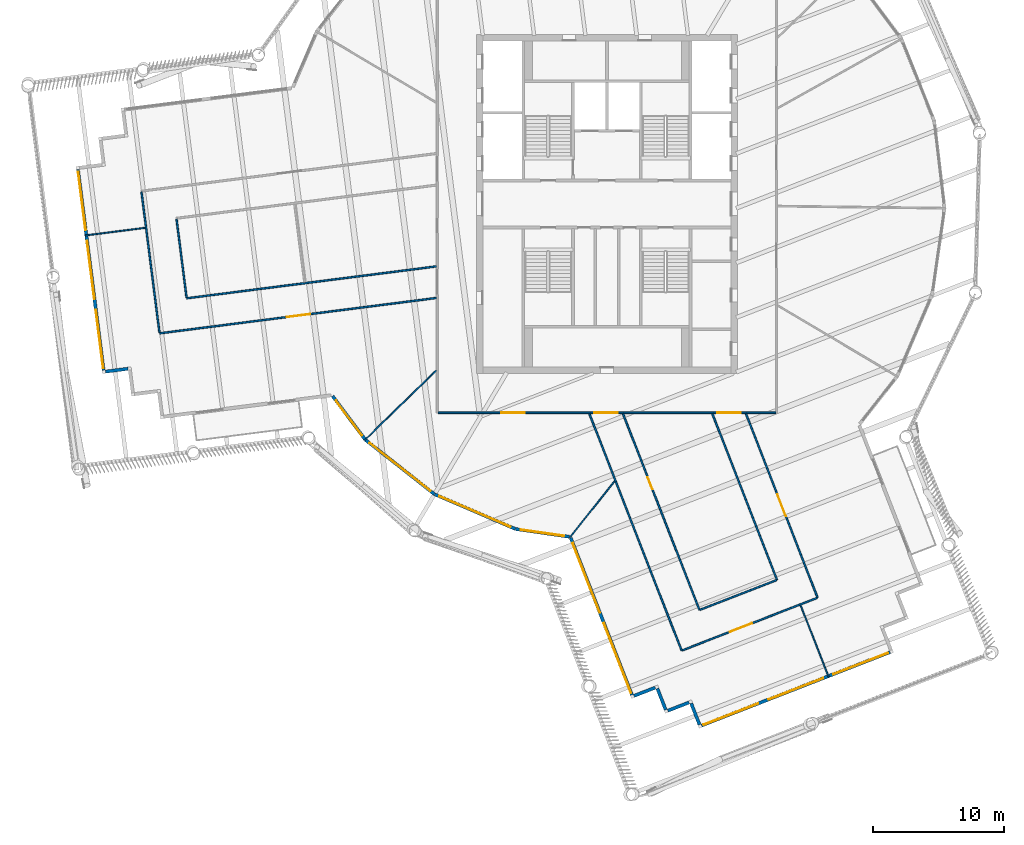
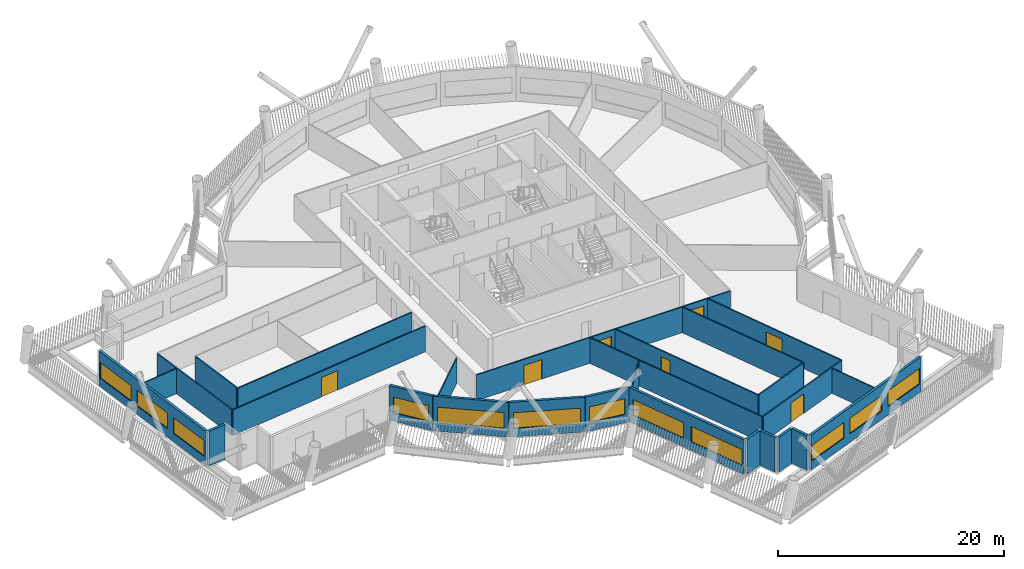
# One storey, part 3 of 20: 27 walls, 12 windows, 7 doors, 19 openings.
"""IFC4 building model written with IfcOpenShell, lengths in metres."""

from ifc_helpers import new_model, si_unit, direction, frame, frame_2d, origin, place, context, subcontext, project, spatial, rectangle, extrude, material, layer, layer_set, type_object, element, fill, save


model = new_model("IFC4")

# Units and contexts
model_context = context("Model", 3, precision=1e-05, world=origin(), true_north=direction((0.0, 1.0)))
body_context = subcontext(model_context, "Body", "Model", "MODEL_VIEW")
ifc_project = project(units=[si_unit("LENGTHUNIT", "METRE"), si_unit("AREAUNIT", "SQUARE_METRE"), si_unit("VOLUMEUNIT", "CUBIC_METRE"), si_unit("PLANEANGLEUNIT", "RADIAN"), si_unit("MASSUNIT", "GRAM", prefix="KILO")], contexts=[model_context])

# Site, building, storey
site_placement = place(None, origin())
site = spatial("IfcSite", under=ifc_project, at=site_placement, CompositionType="ELEMENT")
building_placement = place(site_placement, origin())
building = spatial("IfcBuilding", under=site, at=building_placement, Name="Tarsis Ring Headquarters", CompositionType="ELEMENT")
storey_placement = place(building_placement, frame((0.0, 0.0, 315.800048828125)))
storey = spatial("IfcBuildingStorey", under=building, at=storey_placement, Name="L74", CompositionType="ELEMENT", Elevation=315.800048828125)

# Walls
ifc_material_1 = material(Name="Gypsum board on steel studs", Category="steel")
ifc_layer_1 = layer(ifc_material_1, 0.10009765625)
ifc_layer_set_1 = layer_set([ifc_layer_1], Name="FL partition 100 unrated")
wall_type_1 = type_object("IfcWallType", Name="FL partition 100 unrated", PredefinedType="PARTITIONING", material=ifc_layer_set_1)
wall_1_placement = place(storey_placement, frame((-18.576904296875, -18.115966796875, 0.0), z_axis=(0.0, 0.0, 1.0), x_axis=(0.715916206475, 0.698186211054, 0.0)))
element("IfcWall", 1, at=wall_1_placement, inside=storey, type_object=wall_type_1, Name="Partition PW3", PredefinedType="PARTITIONING", context=body_context, shape_type="SweptSolid", body=[
    extrude(rectangle(XDim=7.669921875, YDim=0.10009765625, at=frame_2d((3.8349609375, 0.0))), origin(), (0.0, 0.0, 1.0), 2.699951171875),
])
wall_2_placement = place(storey_placement, frame((14.842041015625, -30.75, 0.0), z_axis=(0.0, 0.0, 1.0), x_axis=(0.362906716127, -0.931825474749, 0.0)))
element("IfcWall", 2, at=wall_2_placement, inside=storey, type_object=wall_type_1, Name="Partition PW3", PredefinedType="PARTITIONING", context=body_context, shape_type="SweptSolid", body=[
    extrude(rectangle(XDim=5.909912109375, YDim=0.10009765625, at=frame_2d((2.955078125, 0.0))), origin(), (0.0, 0.0, 1.0), 2.699951171875),
])
wall_3_placement = place(storey_placement, frame((-2.8447265625, -25.553955078125, 0.0), z_axis=(0.0, 0.0, 1.0), x_axis=(0.622106122398, 0.782932929742, 0.0)))
element("IfcWall", 3, at=wall_3_placement, inside=storey, type_object=wall_type_1, Name="Partition PW3", PredefinedType="PARTITIONING", context=body_context, shape_type="SweptSolid", body=[
    extrude(rectangle(XDim=5.50439453125, YDim=0.10009765625, at=frame_2d((2.752197265625, 0.0))), origin(), (0.0, 0.0, 1.0), 2.699951171875),
])
wall_4_placement = place(storey_placement, frame((-39.96630859375, -2.413818359375, 0.0), z_axis=(0.0, 0.0, 1.0), x_axis=(0.991945118254, 0.126668395315, 0.0)))
element("IfcWall", 4, at=wall_4_placement, inside=storey, type_object=wall_type_1, Name="Partition PW3", PredefinedType="PARTITIONING", context=body_context, shape_type="SweptSolid", body=[
    extrude(rectangle(XDim=4.619873046875, YDim=0.10009765625, at=frame_2d((2.31005859375, 0.0))), origin(), (0.0, 0.0, 1.0), 2.699951171875),
])

# Wall, openings, doors
ifc_layer_2 = layer(ifc_material_1, 0.125)
ifc_layer_set_2 = layer_set([ifc_layer_2], Name="FL partition 125 EI 60 H2770")
wall_type_2 = type_object("IfcWallType", Name="FL partition 125 EI 60 H2770", PredefinedType="PARTITIONING", material=ifc_layer_set_2)
wall_5_placement = place(storey_placement, frame((-12.93994140625, -16.0, 0.0), z_axis=(0.0, 0.0, 1.0), x_axis=(1.0, 0.0, 0.0)))
wall_5 = element("IfcWall", 5, at=wall_5_placement, inside=storey, type_object=wall_type_2, Name="Partition PW1", PredefinedType="PARTITIONING", context=body_context, shape_type="SweptSolid", body=[
    extrude(rectangle(XDim=25.8798828125, YDim=0.125, at=frame_2d((12.93994140625, 0.0))), origin(), (0.0, 0.0, 1.0), 2.77001953125),
])
opening_1_placement = place(wall_5_placement, frame((4.8515625, 0.0, 0.0)))
opening_1 = element("IfcOpeningElement", 6, at=opening_1_placement, cuts=wall_5, Name="Opening D74.11", PredefinedType="OPENING", context=body_context, shape_type="SweptSolid", body=[
    extrude(rectangle(XDim=1.800048828125, YDim=2.10009765625, at=frame_2d((0.89990234375, 1.050048828125))), frame((0.0, 0.072509765625, 0.0), z_axis=(0.0, -1.0, 0.0), x_axis=(1.0, 0.0, 0.0)), (0.0, 0.0, 1.0), 0.14501953125),
])
opening_2_placement = place(wall_5_placement, frame((11.95068359375, 0.0, 0.0)))
opening_2 = element("IfcOpeningElement", 7, at=opening_2_placement, cuts=wall_5, Name="Opening D74.14", PredefinedType="OPENING", context=body_context, shape_type="SweptSolid", body=[
    extrude(rectangle(XDim=1.800048828125, YDim=2.10009765625, at=frame_2d((0.89990234375, 1.050048828125))), frame((0.0, 0.072509765625, 0.0), z_axis=(0.0, -1.0, 0.0), x_axis=(1.0, 0.0, 0.0)), (0.0, 0.0, 1.0), 0.14501953125),
])
opening_3_placement = place(wall_5_placement, frame((21.373291015625, 0.0, 0.0)))
opening_3 = element("IfcOpeningElement", 8, at=opening_3_placement, cuts=wall_5, Name="Opening D74.15", PredefinedType="OPENING", context=body_context, shape_type="SweptSolid", body=[
    extrude(rectangle(XDim=1.800048828125, YDim=2.10009765625, at=frame_2d((0.89990234375, 1.050048828125))), frame((0.0, 0.072509765625, 0.0), z_axis=(0.0, -1.0, 0.0), x_axis=(1.0, 0.0, 0.0)), (0.0, 0.0, 1.0), 0.14501953125),
])
ifc_material_2 = material(Name="Fire-rated timber door leaf in steel frame", Category="steel")
door_type_1 = type_object("IfcDoorType", Name="FL door FD60-1800", OperationType="DOUBLE_DOOR_SINGLE_SWING", PredefinedType="DOOR", material=ifc_material_2)
door_1_placement = place(opening_1_placement, origin())
door_1 = element("IfcDoor", 9, at=door_1_placement, inside=storey, type_object=door_type_1, Name="Door D74.11", OperationType="DOUBLE_DOOR_SINGLE_SWING", OverallHeight=2.10009765625, OverallWidth=1.800048828125, PredefinedType="DOOR", context=body_context, shape_type="SweptSolid", body=[
    extrude(rectangle(XDim=1.800048828125, YDim=2.10009765625, at=frame_2d((0.89990234375, 1.050048828125))), frame((0.0, 0.02490234375, 0.0), z_axis=(0.0, -1.0, 0.0), x_axis=(1.0, 0.0, 0.0)), (0.0, 0.0, 1.0), 0.050048828125),
])
fill(opening_1, door_1)
door_2_placement = place(opening_2_placement, origin())
door_2 = element("IfcDoor", 10, at=door_2_placement, inside=storey, type_object=door_type_1, Name="Door D74.14", OperationType="DOUBLE_DOOR_SINGLE_SWING", OverallHeight=2.10009765625, OverallWidth=1.800048828125, PredefinedType="DOOR", context=body_context, shape_type="SweptSolid", body=[
    extrude(rectangle(XDim=1.800048828125, YDim=2.10009765625, at=frame_2d((0.89990234375, 1.050048828125))), frame((0.0, 0.02490234375, 0.0), z_axis=(0.0, -1.0, 0.0), x_axis=(1.0, 0.0, 0.0)), (0.0, 0.0, 1.0), 0.050048828125),
])
fill(opening_2, door_2)
door_3_placement = place(opening_3_placement, origin())
door_3 = element("IfcDoor", 11, at=door_3_placement, inside=storey, type_object=door_type_1, Name="Door D74.15", OperationType="DOUBLE_DOOR_SINGLE_SWING", OverallHeight=2.10009765625, OverallWidth=1.800048828125, PredefinedType="DOOR", context=body_context, shape_type="SweptSolid", body=[
    extrude(rectangle(XDim=1.800048828125, YDim=2.10009765625, at=frame_2d((0.89990234375, 1.050048828125))), frame((0.0, 0.02490234375, 0.0), z_axis=(0.0, -1.0, 0.0), x_axis=(1.0, 0.0, 0.0)), (0.0, 0.0, 1.0), 0.050048828125),
])
fill(opening_3, door_3)

# Wall, opening, door
wall_6_placement = place(storey_placement, frame((-34.280029296875, -9.913818359375, 0.0), z_axis=(0.0, 0.0, 1.0), x_axis=(0.991938210513, 0.126722478372, 0.0)))
wall_6 = element("IfcWall", 12, at=wall_6_placement, inside=storey, type_object=wall_type_2, Name="Partition PW1", PredefinedType="PARTITIONING", context=body_context, shape_type="SweptSolid", body=[
    extrude(rectangle(XDim=21.383056640625, YDim=0.125, at=frame_2d((10.69140625, 0.0))), origin(), (0.0, 0.0, 1.0), 2.77001953125),
])
opening_4_placement = place(wall_6_placement, frame((9.826416015625, 0.0, 0.0)))
opening_4 = element("IfcOpeningElement", 13, at=opening_4_placement, cuts=wall_6, Name="Opening D74.01", PredefinedType="OPENING", context=body_context, shape_type="SweptSolid", body=[
    extrude(rectangle(XDim=1.800048828125, YDim=2.10009765625, at=frame_2d((0.89990234375, 1.050048828125))), frame((0.0, 0.072509765625, 0.0), z_axis=(0.0, -1.0, 0.0), x_axis=(1.0, 0.0, 0.0)), (0.0, 0.0, 1.0), 0.14501953125),
])
door_4_placement = place(opening_4_placement, origin())
door_4 = element("IfcDoor", 14, at=door_4_placement, inside=storey, type_object=door_type_1, Name="Door D74.01", OperationType="DOUBLE_DOOR_SINGLE_SWING", OverallHeight=2.10009765625, OverallWidth=1.800048828125, PredefinedType="DOOR", context=body_context, shape_type="SweptSolid", body=[
    extrude(rectangle(XDim=1.800048828125, YDim=2.10009765625, at=frame_2d((0.89990234375, 1.050048828125))), frame((0.0, 0.02490234375, 0.0), z_axis=(0.0, -1.0, 0.0), x_axis=(1.0, 0.0, 0.0)), (0.0, 0.0, 1.0), 0.050048828125),
])
fill(opening_4, door_4)

# Walls
wall_7_placement = place(storey_placement, frame((-1.347900390625, -16.074462890625, 0.0), z_axis=(0.0, 0.0, 1.0), x_axis=(0.362913711646, -0.931822750259, 0.0)))
element("IfcWall", 15, at=wall_7_placement, inside=storey, type_object=wall_type_2, Name="Partition PW1", PredefinedType="PARTITIONING", context=body_context, shape_type="SweptSolid", body=[
    extrude(rectangle(XDim=19.480712890625, YDim=0.125, at=frame_2d((9.740234375, 0.0))), origin(), (0.0, 0.0, 1.0), 2.77001953125),
])
wall_8_placement = place(storey_placement, frame((-32.20361328125, -7.22900390625, 0.0), z_axis=(0.0, 0.0, 1.0), x_axis=(0.99193895173, 0.126716676254, 0.0)))
element("IfcWall", 16, at=wall_8_placement, inside=storey, type_object=wall_type_2, Name="Partition PW1", PredefinedType="PARTITIONING", context=body_context, shape_type="SweptSolid", body=[
    extrude(rectangle(XDim=19.289794921875, YDim=0.125, at=frame_2d((9.64501953125, 0.0))), origin(), (0.0, 0.0, 1.0), 2.77001953125),
])

# Wall, opening, door
wall_9_placement = place(storey_placement, frame((1.2275390625, -16.074462890625, 0.0), z_axis=(0.0, 0.0, 1.0), x_axis=(0.36292853656, -0.931816976316, 0.0)))
wall_9 = element("IfcWall", 17, at=wall_9_placement, inside=storey, type_object=wall_type_2, Name="Partition PW1", PredefinedType="PARTITIONING", context=body_context, shape_type="SweptSolid", body=[
    extrude(rectangle(XDim=16.14599609375, YDim=0.125, at=frame_2d((8.072998046875, 0.0))), origin(), (0.0, 0.0, 1.0), 2.77001953125),
])
opening_5_placement = place(wall_9_placement, frame((5.213134765625, 0.0, 0.0)))
opening_5 = element("IfcOpeningElement", 18, at=opening_5_placement, cuts=wall_9, Name="Opening D74.13", PredefinedType="OPENING", context=body_context, shape_type="SweptSolid", body=[
    extrude(rectangle(XDim=1.0, YDim=2.10009765625, at=frame_2d((0.5, 1.050048828125))), frame((0.0, 0.072509765625, 0.0), z_axis=(0.0, -1.0, 0.0), x_axis=(1.0, 0.0, 0.0)), (0.0, 0.0, 1.0), 0.14501953125),
])
door_type_2 = type_object("IfcDoorType", Name="FL door FD60-1000", OperationType="NOTDEFINED", PredefinedType="DOOR", material=ifc_material_2)
door_5_placement = place(opening_5_placement, origin())
door_5 = element("IfcDoor", 19, at=door_5_placement, inside=storey, type_object=door_type_2, Name="Door D74.13", OperationType="SINGLE_SWING_LEFT", OverallHeight=2.10009765625, OverallWidth=1.0, PredefinedType="DOOR", context=body_context, shape_type="SweptSolid", body=[
    extrude(rectangle(XDim=1.0, YDim=2.10009765625, at=frame_2d((0.5, 1.050048828125))), frame((0.0, 0.02490234375, 0.0), z_axis=(0.0, -1.0, 0.0), x_axis=(1.0, 0.0, 0.0)), (0.0, 0.0, 1.0), 0.050048828125),
])
fill(opening_5, door_5)

wall_10_placement = place(storey_placement, frame((10.64990234375, -16.074462890625, 0.0), z_axis=(0.0, 0.0, 1.0), x_axis=(0.362926781858, -0.931817659744, 0.0)))
wall_10 = element("IfcWall", 20, at=wall_10_placement, inside=storey, type_object=wall_type_2, Name="Partition PW1", PredefinedType="PARTITIONING", context=body_context, shape_type="SweptSolid", body=[
    extrude(rectangle(XDim=15.126220703125, YDim=0.125, at=frame_2d((7.56298828125, 0.0))), origin(), (0.0, 0.0, 1.0), 2.77001953125),
])
opening_6_placement = place(wall_10_placement, frame((6.623046875, 0.0, 0.0)))
opening_6 = element("IfcOpeningElement", 21, at=opening_6_placement, cuts=wall_10, Name="Opening D74.09", PredefinedType="OPENING", context=body_context, shape_type="SweptSolid", body=[
    extrude(rectangle(XDim=1.800048828125, YDim=2.10009765625, at=frame_2d((0.89990234375, 1.050048828125))), frame((0.0, 0.072509765625, 0.0), z_axis=(0.0, -1.0, 0.0), x_axis=(1.0, 0.0, 0.0)), (0.0, 0.0, 1.0), 0.14501953125),
])
door_6_placement = place(opening_6_placement, origin())
door_6 = element("IfcDoor", 22, at=door_6_placement, inside=storey, type_object=door_type_1, Name="Door D74.09", OperationType="DOUBLE_DOOR_SINGLE_SWING", OverallHeight=2.10009765625, OverallWidth=1.800048828125, PredefinedType="DOOR", context=body_context, shape_type="SweptSolid", body=[
    extrude(rectangle(XDim=1.800048828125, YDim=2.10009765625, at=frame_2d((0.89990234375, 1.050048828125))), frame((0.0, 0.02490234375, 0.0), z_axis=(0.0, -1.0, 0.0), x_axis=(1.0, 0.0, 0.0)), (0.0, 0.0, 1.0), 0.050048828125),
])
fill(opening_6, door_6)

# Wall
wall_11_placement = place(storey_placement, frame((8.074462890625, -16.074462890625, 0.0), z_axis=(0.0, 0.0, 1.0), x_axis=(0.362911059693, -0.931823783101, 0.0)))
element("IfcWall", 23, at=wall_11_placement, inside=storey, type_object=wall_type_2, Name="Partition PW1", PredefinedType="PARTITIONING", context=body_context, shape_type="SweptSolid", body=[
    extrude(rectangle(XDim=13.6611328125, YDim=0.125, at=frame_2d((6.83056640625, 0.0))), origin(), (0.0, 0.0, 1.0), 2.77001953125),
])

# Wall, opening, door
wall_12_placement = place(storey_placement, frame((5.77783203125, -34.205078125, 0.0), z_axis=(0.0, 0.0, 1.0), x_axis=(0.931826839832, 0.362903211021, 0.0)))
wall_12 = element("IfcWall", 24, at=wall_12_placement, inside=storey, type_object=wall_type_2, Name="Partition PW1", PredefinedType="PARTITIONING", context=body_context, shape_type="SweptSolid", body=[
    extrude(rectangle(XDim=11.059814453125, YDim=0.125, at=frame_2d((5.52978515625, 0.0))), origin(), (0.0, 0.0, 1.0), 2.77001953125),
])
opening_7_placement = place(wall_12_placement, frame((3.918212890625, 0.0, 0.0)))
opening_7 = element("IfcOpeningElement", 25, at=opening_7_placement, cuts=wall_12, Name="Opening D74.10", PredefinedType="OPENING", context=body_context, shape_type="SweptSolid", body=[
    extrude(rectangle(XDim=1.800048828125, YDim=2.10009765625, at=frame_2d((0.89990234375, 1.050048828125))), frame((0.0, 0.072509765625, 0.0), z_axis=(0.0, -1.0, 0.0), x_axis=(1.0, 0.0, 0.0)), (0.0, 0.0, 1.0), 0.14501953125),
])
door_7_placement = place(opening_7_placement, origin())
door_7 = element("IfcDoor", 26, at=door_7_placement, inside=storey, type_object=door_type_1, Name="Door D74.10", OperationType="DOUBLE_DOOR_SINGLE_SWING", OverallHeight=2.10009765625, OverallWidth=1.800048828125, PredefinedType="DOOR", context=body_context, shape_type="SweptSolid", body=[
    extrude(rectangle(XDim=1.800048828125, YDim=2.10009765625, at=frame_2d((0.89990234375, 1.050048828125))), frame((0.0, 0.02490234375, 0.0), z_axis=(0.0, -1.0, 0.0), x_axis=(1.0, 0.0, 0.0)), (0.0, 0.0, 1.0), 0.050048828125),
])
fill(opening_7, door_7)

# Walls
wall_13_placement = place(storey_placement, frame((-35.663818359375, 0.918212890625, 0.0), z_axis=(0.0, 0.0, 1.0), x_axis=(0.126723661514, -0.991938059363, 0.0)))
element("IfcWall", 27, at=wall_13_placement, inside=storey, type_object=wall_type_2, Name="Partition PW1", PredefinedType="PARTITIONING", context=body_context, shape_type="SweptSolid", body=[
    extrude(rectangle(XDim=10.860107421875, YDim=0.125, at=frame_2d((5.43017578125, 0.0))), origin(), (0.0, 0.0, 1.0), 2.77001953125),
])
wall_14_placement = place(storey_placement, frame((7.143310546875, -31.097900390625, 0.0), z_axis=(0.0, 0.0, 1.0), x_axis=(0.931811311741, 0.362943079988, 0.0)))
element("IfcWall", 28, at=wall_14_placement, inside=storey, type_object=wall_type_2, Name="Partition PW1", PredefinedType="PARTITIONING", context=body_context, shape_type="SweptSolid", body=[
    extrude(rectangle(XDim=6.259765625, YDim=0.125, at=frame_2d((3.1298828125, 0.0))), origin(), (0.0, 0.0, 1.0), 2.77001953125),
])
wall_15_placement = place(storey_placement, frame((-32.97900390625, -1.158447265625, 0.0), z_axis=(0.0, 0.0, 1.0), x_axis=(0.126706953786, -0.991940193692, 0.0)))
element("IfcWall", 29, at=wall_15_placement, inside=storey, type_object=wall_type_2, Name="Partition PW1", PredefinedType="PARTITIONING", context=body_context, shape_type="SweptSolid", body=[
    extrude(rectangle(XDim=6.059814453125, YDim=0.125, at=frame_2d((3.02978515625, 0.0))), origin(), (0.0, 0.0, 1.0), 2.77001953125),
])

# Wall, opening, window
ifc_material_3 = material(Name="Terracotta clad insulated panel wall", Category="masonry")
ifc_layer_3 = layer(ifc_material_3, 0.25)
ifc_layer_set_3 = layer_set([ifc_layer_3], Name="Facade wall terracotta panel 250")
wall_type_3 = type_object("IfcWallType", Name="Facade wall terracotta panel 250", PredefinedType="STANDARD", material=ifc_layer_set_3)
wall_16_placement = place(storey_placement, frame((-21.023193359375, -14.72119140625, 0.0), z_axis=(0.0, 0.0, 1.0), x_axis=(0.598749621861, -0.800936258588, 0.0)))
wall_16 = element("IfcWall", 30, at=wall_16_placement, inside=storey, type_object=wall_type_3, Name="External wall L74-02", PredefinedType="STANDARD", context=body_context, shape_type="SweptSolid", body=[
    extrude(rectangle(XDim=4.157470703125, YDim=0.25, at=frame_2d((2.07861328125, 0.0))), origin(), (0.0, 0.0, 1.0), 3.739990234375),
])
opening_8_placement = place(wall_16_placement, frame((0.420166015625, 0.0, 0.89990234375)))
opening_8 = element("IfcOpeningElement", 31, at=opening_8_placement, cuts=wall_16, Name="Opening WN01", PredefinedType="OPENING", context=body_context, shape_type="SweptSolid", body=[
    extrude(rectangle(XDim=3.35009765625, YDim=1.699951171875, at=frame_2d((1.675048828125, 0.85009765625))), frame((0.0, 0.135009765625, 0.0), z_axis=(0.0, -1.0, 0.0), x_axis=(1.0, 0.0, 0.0)), (0.0, 0.0, 1.0), 0.27001953125),
])
ifc_material_4 = material(Name="Aluminium framed double glazing", Category="aluminium")
window_type_1 = type_object("IfcWindowType", Name="Facade window 3350 x 1700", PartitioningType="SINGLE_PANEL", PredefinedType="WINDOW", material=ifc_material_4)
window_1_placement = place(opening_8_placement, origin())
window_1 = element("IfcWindow", 32, at=window_1_placement, inside=storey, type_object=window_type_1, Name="Window L74-02.1", OverallHeight=1.699951171875, OverallWidth=3.35009765625, PartitioningType="SINGLE_PANEL", PredefinedType="WINDOW", context=body_context, shape_type="SweptSolid", body=[
    extrude(rectangle(XDim=3.35009765625, YDim=1.699951171875, at=frame_2d((1.675048828125, 0.85009765625))), frame((0.0, 0.030029296875, 0.0), z_axis=(0.0, -1.0, 0.0), x_axis=(1.0, 0.0, 0.0)), (0.0, 0.0, 1.0), 0.06005859375),
])
fill(opening_8, window_1)

wall_17_placement = place(storey_placement, frame((-18.51123046875, -18.074462890625, 0.0), z_axis=(0.0, 0.0, 1.0), x_axis=(0.785647348854, -0.6186745859, 0.0)))
wall_17 = element("IfcWall", 33, at=wall_17_placement, inside=storey, type_object=wall_type_3, Name="External wall L74-03", PredefinedType="STANDARD", context=body_context, shape_type="SweptSolid", body=[
    extrude(rectangle(XDim=6.721435546875, YDim=0.25, at=frame_2d((3.36083984375, 0.0))), origin(), (0.0, 0.0, 1.0), 3.739990234375),
])
opening_9_placement = place(wall_17_placement, frame((0.3857421875, 0.0, 0.89990234375)))
opening_9 = element("IfcOpeningElement", 34, at=opening_9_placement, cuts=wall_17, Name="Opening WN07", PredefinedType="OPENING", context=body_context, shape_type="SweptSolid", body=[
    extrude(rectangle(XDim=5.949951171875, YDim=1.699951171875, at=frame_2d((2.97509765625, 0.85009765625))), frame((0.0, 0.135009765625, 0.0), z_axis=(0.0, -1.0, 0.0), x_axis=(1.0, 0.0, 0.0)), (0.0, 0.0, 1.0), 0.27001953125),
])
window_type_2 = type_object("IfcWindowType", Name="Facade window 5950 x 1700", PartitioningType="SINGLE_PANEL", PredefinedType="WINDOW", material=ifc_material_4)
window_2_placement = place(opening_9_placement, origin())
window_2 = element("IfcWindow", 35, at=window_2_placement, inside=storey, type_object=window_type_2, Name="Window L74-03.1", OverallHeight=1.699951171875, OverallWidth=5.949951171875, PartitioningType="SINGLE_PANEL", PredefinedType="WINDOW", context=body_context, shape_type="SweptSolid", body=[
    extrude(rectangle(XDim=5.949951171875, YDim=1.699951171875, at=frame_2d((2.97509765625, 0.85009765625))), frame((0.0, 0.030029296875, 0.0), z_axis=(0.0, -1.0, 0.0), x_axis=(1.0, 0.0, 0.0)), (0.0, 0.0, 1.0), 0.06005859375),
])
fill(opening_9, window_2)

wall_18_placement = place(storey_placement, frame((-13.202392578125, -22.24951171875, 0.0), z_axis=(0.0, 0.0, 1.0), x_axis=(0.91899090301, -0.394278734128, 0.0)))
wall_18 = element("IfcWall", 36, at=wall_18_placement, inside=storey, type_object=wall_type_3, Name="External wall L74-04", PredefinedType="STANDARD", context=body_context, shape_type="SweptSolid", body=[
    extrude(rectangle(XDim=6.721435546875, YDim=0.25, at=frame_2d((3.36083984375, 0.0))), origin(), (0.0, 0.0, 1.0), 3.739990234375),
])
opening_10_placement = place(wall_18_placement, frame((0.3857421875, 0.0, 0.89990234375)))
opening_10 = element("IfcOpeningElement", 37, at=opening_10_placement, cuts=wall_18, Name="Opening WN07", PredefinedType="OPENING", context=body_context, shape_type="SweptSolid", body=[
    extrude(rectangle(XDim=5.949951171875, YDim=1.699951171875, at=frame_2d((2.97509765625, 0.85009765625))), frame((0.0, 0.135009765625, 0.0), z_axis=(0.0, -1.0, 0.0), x_axis=(1.0, 0.0, 0.0)), (0.0, 0.0, 1.0), 0.27001953125),
])
window_3_placement = place(opening_10_placement, origin())
window_3 = element("IfcWindow", 38, at=window_3_placement, inside=storey, type_object=window_type_2, Name="Window L74-04.1", OverallHeight=1.699951171875, OverallWidth=5.949951171875, PartitioningType="SINGLE_PANEL", PredefinedType="WINDOW", context=body_context, shape_type="SweptSolid", body=[
    extrude(rectangle(XDim=5.949951171875, YDim=1.699951171875, at=frame_2d((2.97509765625, 0.85009765625))), frame((0.0, 0.030029296875, 0.0), z_axis=(0.0, -1.0, 0.0), x_axis=(1.0, 0.0, 0.0)), (0.0, 0.0, 1.0), 0.06005859375),
])
fill(opening_10, window_3)

wall_19_placement = place(storey_placement, frame((-6.993896484375, -24.908447265625, 0.0), z_axis=(0.0, 0.0, 1.0), x_axis=(0.989723924951, -0.142991441631, 0.0)))
wall_19 = element("IfcWall", 39, at=wall_19_placement, inside=storey, type_object=wall_type_3, Name="External wall L74-05", PredefinedType="STANDARD", context=body_context, shape_type="SweptSolid", body=[
    extrude(rectangle(XDim=4.157470703125, YDim=0.25, at=frame_2d((2.07861328125, 0.0))), origin(), (0.0, 0.0, 1.0), 3.739990234375),
])
opening_11_placement = place(wall_19_placement, frame((0.38720703125, 0.0, 0.89990234375)))
opening_11 = element("IfcOpeningElement", 40, at=opening_11_placement, cuts=wall_19, Name="Opening WN01", PredefinedType="OPENING", context=body_context, shape_type="SweptSolid", body=[
    extrude(rectangle(XDim=3.35009765625, YDim=1.699951171875, at=frame_2d((1.675048828125, 0.85009765625))), frame((0.0, 0.135009765625, 0.0), z_axis=(0.0, -1.0, 0.0), x_axis=(1.0, 0.0, 0.0)), (0.0, 0.0, 1.0), 0.27001953125),
])
window_4_placement = place(opening_11_placement, origin())
window_4 = element("IfcWindow", 41, at=window_4_placement, inside=storey, type_object=window_type_1, Name="Window L74-05.1", OverallHeight=1.699951171875, OverallWidth=3.35009765625, PartitioningType="SINGLE_PANEL", PredefinedType="WINDOW", context=body_context, shape_type="SweptSolid", body=[
    extrude(rectangle(XDim=3.35009765625, YDim=1.699951171875, at=frame_2d((1.675048828125, 0.85009765625))), frame((0.0, 0.030029296875, 0.0), z_axis=(0.0, -1.0, 0.0), x_axis=(1.0, 0.0, 0.0)), (0.0, 0.0, 1.0), 0.06005859375),
])
fill(opening_11, window_4)

# Wall, openings, windows
wall_20_placement = place(storey_placement, frame((-2.780517578125, -25.581298828125, 0.0), z_axis=(0.0, 0.0, 1.0), x_axis=(0.362922143686, -0.931819466218, 0.0)))
wall_20 = element("IfcWall", 42, at=wall_20_placement, inside=storey, type_object=wall_type_3, Name="External wall L74-06", PredefinedType="STANDARD", context=body_context, shape_type="SweptSolid", body=[
    extrude(rectangle(XDim=12.922119140625, YDim=0.25, at=frame_2d((6.4609375, 0.0))), origin(), (0.0, 0.0, 1.0), 3.739990234375),
])
opening_12_placement = place(wall_20_placement, frame((0.41796875, 0.0, 0.89990234375)))
opening_12 = element("IfcOpeningElement", 43, at=opening_12_placement, cuts=wall_20, Name="Opening WN06", PredefinedType="OPENING", context=body_context, shape_type="SweptSolid", body=[
    extrude(rectangle(XDim=5.75, YDim=1.699951171875, at=frame_2d((2.875, 0.85009765625))), frame((0.0, 0.135009765625, 0.0), z_axis=(0.0, -1.0, 0.0), x_axis=(1.0, 0.0, 0.0)), (0.0, 0.0, 1.0), 0.27001953125),
])
opening_13_placement = place(wall_20_placement, frame((7.00390625, 0.0, 0.89990234375)))
opening_13 = element("IfcOpeningElement", 44, at=opening_13_placement, cuts=wall_20, Name="Opening WN06", PredefinedType="OPENING", context=body_context, shape_type="SweptSolid", body=[
    extrude(rectangle(XDim=5.75, YDim=1.699951171875, at=frame_2d((2.875, 0.85009765625))), frame((0.0, 0.135009765625, 0.0), z_axis=(0.0, -1.0, 0.0), x_axis=(1.0, 0.0, 0.0)), (0.0, 0.0, 1.0), 0.27001953125),
])
window_type_3 = type_object("IfcWindowType", Name="Facade window 5750 x 1700", PartitioningType="SINGLE_PANEL", PredefinedType="WINDOW", material=ifc_material_4)
window_5_placement = place(opening_12_placement, origin())
window_5 = element("IfcWindow", 45, at=window_5_placement, inside=storey, type_object=window_type_3, Name="Window L74-06.1", OverallHeight=1.699951171875, OverallWidth=5.75, PartitioningType="SINGLE_PANEL", PredefinedType="WINDOW", context=body_context, shape_type="SweptSolid", body=[
    extrude(rectangle(XDim=5.75, YDim=1.699951171875, at=frame_2d((2.875, 0.85009765625))), frame((0.0, 0.030029296875, 0.0), z_axis=(0.0, -1.0, 0.0), x_axis=(1.0, 0.0, 0.0)), (0.0, 0.0, 1.0), 0.06005859375),
])
fill(opening_12, window_5)
window_6_placement = place(opening_13_placement, origin())
window_6 = element("IfcWindow", 46, at=window_6_placement, inside=storey, type_object=window_type_3, Name="Window L74-06.2", OverallHeight=1.699951171875, OverallWidth=5.75, PartitioningType="SINGLE_PANEL", PredefinedType="WINDOW", context=body_context, shape_type="SweptSolid", body=[
    extrude(rectangle(XDim=5.75, YDim=1.699951171875, at=frame_2d((2.875, 0.85009765625))), frame((0.0, 0.030029296875, 0.0), z_axis=(0.0, -1.0, 0.0), x_axis=(1.0, 0.0, 0.0)), (0.0, 0.0, 1.0), 0.06005859375),
])
fill(opening_13, window_6)

# Walls
wall_21_placement = place(storey_placement, frame((2.071044921875, -37.693359375, 0.0), z_axis=(0.0, 0.0, 1.0), x_axis=(0.931852749114, 0.362836676713, 0.0)))
element("IfcWall", 47, at=wall_21_placement, inside=storey, type_object=wall_type_3, Name="External wall L74-07", PredefinedType="STANDARD", context=body_context, shape_type="SweptSolid", body=[
    extrude(rectangle(XDim=1.750244140625, YDim=0.25, at=frame_2d((0.875, 0.0))), origin(), (0.0, 0.0, 1.0), 3.739990234375),
])
for number, where, z_axis, x_axis, name in (
    (48, (3.863525390625, -37.12939453125, 0.0), (0.0, 0.0, 1.0), (0.363004983999, -0.93178719759, 0.0), "External wall L74-08"),
    (49, (4.66064453125, -38.8310546875, 0.0), (0.0, 0.0, 1.0), (0.931834380437, 0.362883848408, 0.0), "External wall L74-09"),
    (50, (6.453125, -38.26708984375, 0.0), (0.0, 0.0, 1.0), (0.362883848408, -0.931834380437, 0.0), "External wall L74-10"),
):
    element("IfcWall", number, at=place(storey_placement, frame(where, z_axis=z_axis, x_axis=x_axis)), inside=storey, type_object=wall_type_3, Name=name, PredefinedType="STANDARD", context=body_context, shape_type="SweptSolid", body=[
        extrude(rectangle(XDim=1.75, YDim=0.25, at=frame_2d((0.875, 0.0))), origin(), (0.0, 0.0, 1.0), 3.739990234375),
    ])

# Wall, openings, windows
wall_22_placement = place(storey_placement, frame((7.25, -39.968994140625, 0.0), z_axis=(0.0, 0.0, 1.0), x_axis=(0.931816550183, 0.362929630651, 0.0)))
wall_22 = element("IfcWall", 51, at=wall_22_placement, inside=storey, type_object=wall_type_3, Name="External wall L74-11", PredefinedType="STANDARD", context=body_context, shape_type="SweptSolid", body=[
    extrude(rectangle(XDim=15.500244140625, YDim=0.25, at=frame_2d((7.75, 0.0))), origin(), (0.0, 0.0, 1.0), 3.739990234375),
])
opening_14_placement = place(wall_22_placement, frame((0.166748046875, 0.0, 0.89990234375)))
opening_14 = element("IfcOpeningElement", 52, at=opening_14_placement, cuts=wall_22, Name="Opening WN04", PredefinedType="OPENING", context=body_context, shape_type="SweptSolid", body=[
    extrude(rectangle(XDim=4.5, YDim=1.699951171875, at=frame_2d((2.25, 0.85009765625))), frame((0.0, 0.135009765625, 0.0), z_axis=(0.0, -1.0, 0.0), x_axis=(1.0, 0.0, 0.0)), (0.0, 0.0, 1.0), 0.27001953125),
])
opening_15_placement = place(wall_22_placement, frame((5.5, 0.0, 0.89990234375)))
opening_15 = element("IfcOpeningElement", 53, at=opening_15_placement, cuts=wall_22, Name="Opening WN04", PredefinedType="OPENING", context=body_context, shape_type="SweptSolid", body=[
    extrude(rectangle(XDim=4.5, YDim=1.699951171875, at=frame_2d((2.25, 0.85009765625))), frame((0.0, 0.135009765625, 0.0), z_axis=(0.0, -1.0, 0.0), x_axis=(1.0, 0.0, 0.0)), (0.0, 0.0, 1.0), 0.27001953125),
])
opening_16_placement = place(wall_22_placement, frame((10.833251953125, 0.0, 0.89990234375)))
opening_16 = element("IfcOpeningElement", 54, at=opening_16_placement, cuts=wall_22, Name="Opening WN04", PredefinedType="OPENING", context=body_context, shape_type="SweptSolid", body=[
    extrude(rectangle(XDim=4.5, YDim=1.699951171875, at=frame_2d((2.25, 0.85009765625))), frame((0.0, 0.135009765625, 0.0), z_axis=(0.0, -1.0, 0.0), x_axis=(1.0, 0.0, 0.0)), (0.0, 0.0, 1.0), 0.27001953125),
])
window_type_4 = type_object("IfcWindowType", Name="Facade window 4500 x 1700", PartitioningType="SINGLE_PANEL", PredefinedType="WINDOW", material=ifc_material_4)
window_7_placement = place(opening_14_placement, origin())
window_7 = element("IfcWindow", 55, at=window_7_placement, inside=storey, type_object=window_type_4, Name="Window L74-11.1", OverallHeight=1.699951171875, OverallWidth=4.5, PartitioningType="SINGLE_PANEL", PredefinedType="WINDOW", context=body_context, shape_type="SweptSolid", body=[
    extrude(rectangle(XDim=4.5, YDim=1.699951171875, at=frame_2d((2.25, 0.85009765625))), frame((0.0, 0.030029296875, 0.0), z_axis=(0.0, -1.0, 0.0), x_axis=(1.0, 0.0, 0.0)), (0.0, 0.0, 1.0), 0.06005859375),
])
fill(opening_14, window_7)
window_8_placement = place(opening_15_placement, origin())
window_8 = element("IfcWindow", 56, at=window_8_placement, inside=storey, type_object=window_type_4, Name="Window L74-11.2", OverallHeight=1.699951171875, OverallWidth=4.5, PartitioningType="SINGLE_PANEL", PredefinedType="WINDOW", context=body_context, shape_type="SweptSolid", body=[
    extrude(rectangle(XDim=4.5, YDim=1.699951171875, at=frame_2d((2.25, 0.85009765625))), frame((0.0, 0.030029296875, 0.0), z_axis=(0.0, -1.0, 0.0), x_axis=(1.0, 0.0, 0.0)), (0.0, 0.0, 1.0), 0.06005859375),
])
fill(opening_15, window_8)
window_9_placement = place(opening_16_placement, origin())
window_9 = element("IfcWindow", 57, at=window_9_placement, inside=storey, type_object=window_type_4, Name="Window L74-11.3", OverallHeight=1.699951171875, OverallWidth=4.5, PartitioningType="SINGLE_PANEL", PredefinedType="WINDOW", context=body_context, shape_type="SweptSolid", body=[
    extrude(rectangle(XDim=4.5, YDim=1.699951171875, at=frame_2d((2.25, 0.85009765625))), frame((0.0, 0.030029296875, 0.0), z_axis=(0.0, -1.0, 0.0), x_axis=(1.0, 0.0, 0.0)), (0.0, 0.0, 1.0), 0.06005859375),
])
fill(opening_16, window_9)

wall_23_placement = place(storey_placement, frame((-40.53564453125, 2.634521484375, 0.0), z_axis=(0.0, 0.0, 1.0), x_axis=(0.126717292826, -0.991938872965, 0.0)))
wall_23 = element("IfcWall", 58, at=wall_23_placement, inside=storey, type_object=wall_type_3, Name="External wall L74-36", PredefinedType="STANDARD", context=body_context, shape_type="SweptSolid", body=[
    extrude(rectangle(XDim=15.5, YDim=0.25, at=frame_2d((7.75, 0.0))), origin(), (0.0, 0.0, 1.0), 3.739990234375),
])
opening_17_placement = place(wall_23_placement, frame((0.166748046875, 0.0, 0.89990234375)))
opening_17 = element("IfcOpeningElement", 59, at=opening_17_placement, cuts=wall_23, Name="Opening WN04", PredefinedType="OPENING", context=body_context, shape_type="SweptSolid", body=[
    extrude(rectangle(XDim=4.5, YDim=1.699951171875, at=frame_2d((2.25, 0.85009765625))), frame((0.0, 0.135009765625, 0.0), z_axis=(0.0, -1.0, 0.0), x_axis=(1.0, 0.0, 0.0)), (0.0, 0.0, 1.0), 0.27001953125),
])
opening_18_placement = place(wall_23_placement, frame((5.5, 0.0, 0.89990234375)))
opening_18 = element("IfcOpeningElement", 60, at=opening_18_placement, cuts=wall_23, Name="Opening WN04", PredefinedType="OPENING", context=body_context, shape_type="SweptSolid", body=[
    extrude(rectangle(XDim=4.5, YDim=1.699951171875, at=frame_2d((2.25, 0.85009765625))), frame((0.0, 0.135009765625, 0.0), z_axis=(0.0, -1.0, 0.0), x_axis=(1.0, 0.0, 0.0)), (0.0, 0.0, 1.0), 0.27001953125),
])
opening_19_placement = place(wall_23_placement, frame((10.833251953125, 0.0, 0.89990234375)))
opening_19 = element("IfcOpeningElement", 61, at=opening_19_placement, cuts=wall_23, Name="Opening WN04", PredefinedType="OPENING", context=body_context, shape_type="SweptSolid", body=[
    extrude(rectangle(XDim=4.5, YDim=1.699951171875, at=frame_2d((2.25, 0.85009765625))), frame((0.0, 0.135009765625, 0.0), z_axis=(0.0, -1.0, 0.0), x_axis=(1.0, 0.0, 0.0)), (0.0, 0.0, 1.0), 0.27001953125),
])
window_10_placement = place(opening_17_placement, origin())
window_10 = element("IfcWindow", 62, at=window_10_placement, inside=storey, type_object=window_type_4, Name="Window L74-36.1", OverallHeight=1.699951171875, OverallWidth=4.5, PartitioningType="SINGLE_PANEL", PredefinedType="WINDOW", context=body_context, shape_type="SweptSolid", body=[
    extrude(rectangle(XDim=4.5, YDim=1.699951171875, at=frame_2d((2.25, 0.85009765625))), frame((0.0, 0.030029296875, 0.0), z_axis=(0.0, -1.0, 0.0), x_axis=(1.0, 0.0, 0.0)), (0.0, 0.0, 1.0), 0.06005859375),
])
fill(opening_17, window_10)
window_11_placement = place(opening_18_placement, origin())
window_11 = element("IfcWindow", 63, at=window_11_placement, inside=storey, type_object=window_type_4, Name="Window L74-36.2", OverallHeight=1.699951171875, OverallWidth=4.5, PartitioningType="SINGLE_PANEL", PredefinedType="WINDOW", context=body_context, shape_type="SweptSolid", body=[
    extrude(rectangle(XDim=4.5, YDim=1.699951171875, at=frame_2d((2.25, 0.85009765625))), frame((0.0, 0.030029296875, 0.0), z_axis=(0.0, -1.0, 0.0), x_axis=(1.0, 0.0, 0.0)), (0.0, 0.0, 1.0), 0.06005859375),
])
fill(opening_18, window_11)
window_12_placement = place(opening_19_placement, origin())
window_12 = element("IfcWindow", 64, at=window_12_placement, inside=storey, type_object=window_type_4, Name="Window L74-36.3", OverallHeight=1.699951171875, OverallWidth=4.5, PartitioningType="SINGLE_PANEL", PredefinedType="WINDOW", context=body_context, shape_type="SweptSolid", body=[
    extrude(rectangle(XDim=4.5, YDim=1.699951171875, at=frame_2d((2.25, 0.85009765625))), frame((0.0, 0.030029296875, 0.0), z_axis=(0.0, -1.0, 0.0), x_axis=(1.0, 0.0, 0.0)), (0.0, 0.0, 1.0), 0.06005859375),
])
fill(opening_19, window_12)

# Wall
wall_24_placement = place(storey_placement, frame((-38.431640625, -12.8486328125, 0.0), z_axis=(0.0, 0.0, 1.0), x_axis=(0.991926272417, 0.126815890524, 0.0)))
element("IfcWall", 65, at=wall_24_placement, inside=storey, type_object=wall_type_3, Name="External wall L74-37", PredefinedType="STANDARD", context=body_context, shape_type="SweptSolid", body=[
    extrude(rectangle(XDim=1.75, YDim=0.25, at=frame_2d((0.875, 0.0))), origin(), (0.0, 0.0, 1.0), 3.739990234375),
])

save(model, "model.ifc")
